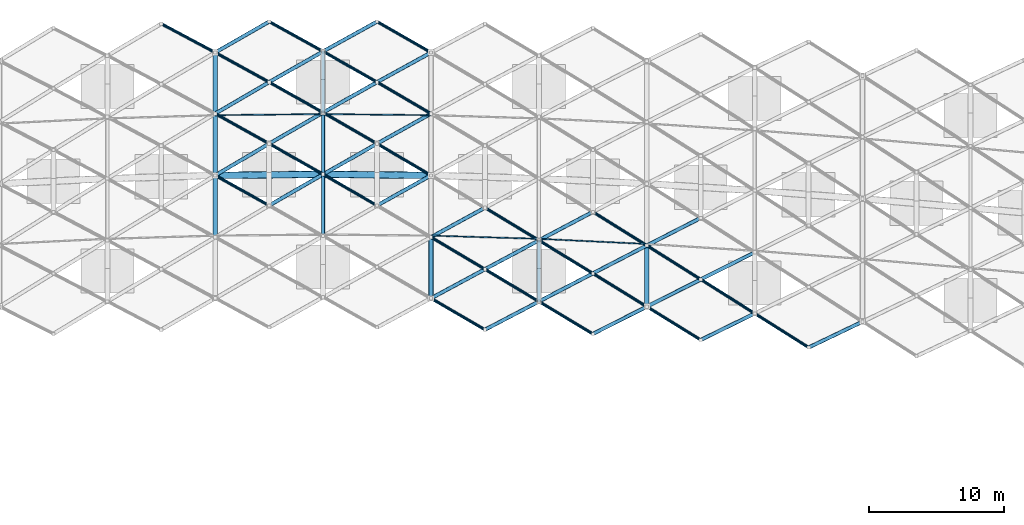
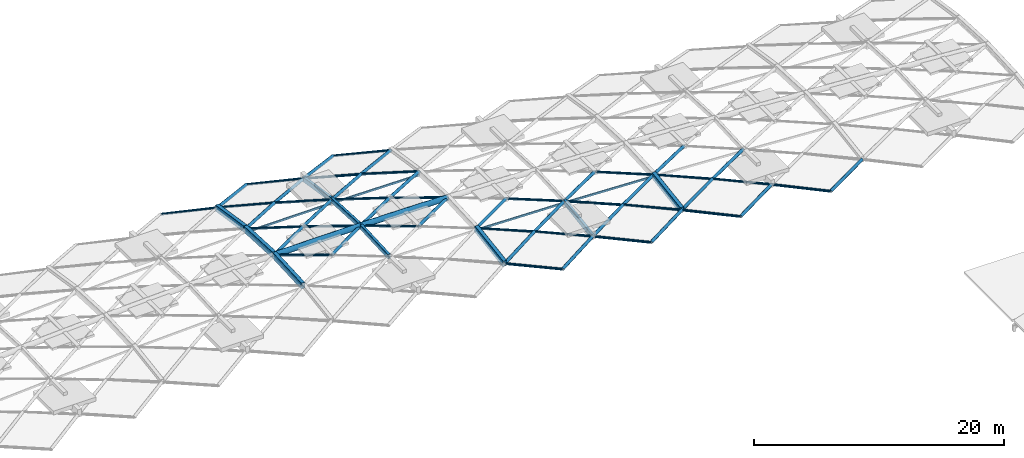
# One storey, part 5 of 27: 56 members, 9 beams.
"""IFC4 building model written with IfcOpenShell, lengths in metres."""

from ifc_helpers import new_model, si_unit, direction, frame, origin, origin_2d, place, context, subcontext, project, spatial, hollow_rectangle, hollow_circle, extrude, material, material_profile, profile_set, type_object, element, save


model = new_model("IFC4")

# Units and contexts
model_context = context("Model", 3, precision=1e-05, world=origin(), true_north=direction((0.0, 1.0)))
body_context = subcontext(model_context, "Body", "Model", "MODEL_VIEW")
ifc_project = project(units=[si_unit("LENGTHUNIT", "METRE"), si_unit("AREAUNIT", "SQUARE_METRE"), si_unit("VOLUMEUNIT", "CUBIC_METRE"), si_unit("PLANEANGLEUNIT", "RADIAN"), si_unit("MASSUNIT", "GRAM", prefix="KILO")], contexts=[model_context])

# Site, building, storey
site_placement = place(None, origin())
site = spatial("IfcSite", under=ifc_project, at=site_placement, CompositionType="ELEMENT")
building_placement = place(site_placement, origin())
building = spatial("IfcBuilding", under=site, at=building_placement, Name="Kenh Van Central Station", CompositionType="ELEMENT")
storey_placement = place(building_placement, frame((0.0, 0.0, 19.199951171875)))
storey = spatial("IfcBuildingStorey", under=building, at=storey_placement, Name="L04", CompositionType="ELEMENT", Elevation=19.199951171875)

# Beams
ifc_material = material(Name="White fluoropolymer structural steel S355", Category="steel")
ifc_material_profile_1 = material_profile(ifc_material, hollow_rectangle(XDim=0.35009765625, YDim=0.60009765625, WallThickness=0.01611328125, InnerFilletRadius=0.01611328125, OuterFilletRadius=0.031982421875, at=origin_2d()), Name="RHS 600x350x16")
ifc_profile_set_1 = profile_set([ifc_material_profile_1], Name="White fluoropolymer structural steel S355")
beam_type_1 = type_object("IfcBeamType", Name="BM-VAULT-ARCH600", PredefinedType="BEAM", material=ifc_profile_set_1)
beam_1_placement = place(storey_placement, frame((80.0, 86.53955078125, 1.7744140625), z_axis=(0.0, 0.998789366283, 0.049191480968), x_axis=(-1.0, 0.0, 0.0)))
element("IfcBeam", 1, at=beam_1_placement, inside=storey, type_object=beam_type_1, Name="Vault transverse arch 076", PredefinedType="BEAM", context=body_context, shape_type="SweptSolid", body=[
    extrude(hollow_rectangle(XDim=0.35009765625, YDim=0.60009765625, WallThickness=0.01611328125, InnerFilletRadius=0.01611328125, OuterFilletRadius=0.031982421875, at=origin_2d()), origin(), (0.0, 0.0, 1.0), 4.5859375),
])
beam_2_placement = place(storey_placement, frame((80.0, 91.119873046875, 2.0), z_axis=(0.0, 0.998789237449, -0.04919409677), x_axis=(-1.0, 0.0, 0.0)))
element("IfcBeam", 2, at=beam_2_placement, inside=storey, type_object=beam_type_1, Name="Vault transverse arch 077", PredefinedType="BEAM", context=body_context, shape_type="SweptSolid", body=[
    extrude(hollow_rectangle(XDim=0.35009765625, YDim=0.60009765625, WallThickness=0.01611328125, InnerFilletRadius=0.01611328125, OuterFilletRadius=0.031982421875, at=origin_2d()), origin(), (0.0, 0.0, 1.0), 4.585693359375),
])
for number, where, z_axis, x_axis, name in (
    (3, (80.0, 95.699951171875, 1.7744140625), (0.0, 0.988526901782, -0.151044908728), (-1.0, 0.0, 0.0), "Vault transverse arch 078"),
    (4, (96.0, 82.0068359375, 1.081787109375), (0.0, 0.988525687015, 0.15105285867), (-1.0, 0.0, 0.0), "Vault transverse arch 098"),
    (5, (112.0, 81.388916015625, 1.081787109375), (0.0, 0.988525687015, 0.15105285867), (-1.0, 0.0, 0.0), "Vault transverse arch 122"),
):
    element("IfcBeam", number, at=place(storey_placement, frame(where, z_axis=z_axis, x_axis=x_axis)), inside=storey, type_object=beam_type_1, Name=name, PredefinedType="BEAM", context=body_context, shape_type="SweptSolid", body=[
        extrude(hollow_rectangle(XDim=0.35009765625, YDim=0.60009765625, WallThickness=0.01611328125, InnerFilletRadius=0.01611328125, OuterFilletRadius=0.031982421875, at=origin_2d()), origin(), (0.0, 0.0, 1.0), 4.58544921875),
    ])
ifc_material_profile_2 = material_profile(ifc_material, hollow_rectangle(XDim=0.25, YDim=0.449951171875, WallThickness=0.012451171875, InnerFilletRadius=0.012451171875, OuterFilletRadius=0.02490234375, at=origin_2d()), Name="RHS 450x250x12.5")
ifc_profile_set_2 = profile_set([ifc_material_profile_2], Name="White fluoropolymer structural steel S355")
beam_type_2 = type_object("IfcBeamType", Name="BM-VAULT-SUB450", PredefinedType="BEAM", material=ifc_profile_set_2)
beam_3_placement = place(storey_placement, frame((88.0, 86.619873046875, 1.7744140625), z_axis=(0.0, 0.998789237449, 0.04919409677), x_axis=(-1.0, 0.0, 0.0)))
element("IfcBeam", 6, at=beam_3_placement, inside=storey, type_object=beam_type_2, Name="Vault transverse arch 087", PredefinedType="BEAM", context=body_context, shape_type="SweptSolid", body=[
    extrude(hollow_rectangle(XDim=0.25, YDim=0.449951171875, WallThickness=0.012451171875, InnerFilletRadius=0.012451171875, OuterFilletRadius=0.02490234375, at=origin_2d()), origin(), (0.0, 0.0, 1.0), 4.585693359375),
])
beam_4_placement = place(storey_placement, frame((88.0, 91.199951171875, 2.0), z_axis=(0.0, 0.998789366283, -0.049191480968), x_axis=(-1.0, 0.0, 0.0)))
element("IfcBeam", 7, at=beam_4_placement, inside=storey, type_object=beam_type_2, Name="Vault transverse arch 088", PredefinedType="BEAM", context=body_context, shape_type="SweptSolid", body=[
    extrude(hollow_rectangle(XDim=0.25, YDim=0.449951171875, WallThickness=0.012451171875, InnerFilletRadius=0.012451171875, OuterFilletRadius=0.02490234375, at=origin_2d()), origin(), (0.0, 0.0, 1.0), 4.5859375),
])
for number, where, z_axis, x_axis, name in (
    (8, (88.0, 95.7802734375, 1.7744140625), (0.0, 0.988525687015, -0.15105285867), (-1.0, 0.0, 0.0), "Vault transverse arch 089"),
    (9, (104.0, 81.77001953125, 1.081787109375), (0.0, 0.988526901782, 0.151044908728), (-1.0, 0.0, 0.0), "Vault transverse arch 110"),
):
    element("IfcBeam", number, at=place(storey_placement, frame(where, z_axis=z_axis, x_axis=x_axis)), inside=storey, type_object=beam_type_2, Name=name, PredefinedType="BEAM", context=body_context, shape_type="SweptSolid", body=[
        extrude(hollow_rectangle(XDim=0.25, YDim=0.449951171875, WallThickness=0.012451171875, InnerFilletRadius=0.012451171875, OuterFilletRadius=0.02490234375, at=origin_2d()), origin(), (0.0, 0.0, 1.0), 4.58544921875),
    ])

# Members
ifc_material_profile_3 = material_profile(ifc_material, hollow_rectangle(XDim=0.10009765625, YDim=0.199951171875, WallThickness=0.008056640625, InnerFilletRadius=0.008056640625, OuterFilletRadius=0.01611328125, at=origin_2d()), Name="RHS 200x100x8")
ifc_profile_set_3 = profile_set([ifc_material_profile_3], Name="White fluoropolymer structural steel S355")
member_type_1 = type_object("IfcMemberType", Name="MEM-PUR-RHS200", PredefinedType="PURLIN", material=ifc_profile_set_3)
member_1_placement = place(storey_placement, frame((96.0, 86.654541015625, 1.51904296875), z_axis=(0.999562147036, -0.029589089436, 0.0), x_axis=(0.029589089436, 0.999562147036, 0.0)))
element("IfcMember", 10, at=member_1_placement, inside=storey, type_object=member_type_1, Name="Vault longitudinal purlin 023", PredefinedType="PURLIN", context=body_context, shape_type="SweptSolid", body=[
    extrude(hollow_rectangle(XDim=0.10009765625, YDim=0.199951171875, WallThickness=0.008056640625, InnerFilletRadius=0.008056640625, OuterFilletRadius=0.01611328125, at=origin_2d()), origin(), (0.0, 0.0, 1.0), 8.00341796875),
])
member_2_placement = place(storey_placement, frame((104.0, 86.417724609375, 1.51904296875), z_axis=(0.998867240988, -0.047583977148, 0.0), x_axis=(0.047583977148, 0.998867240988, 0.0)))
element("IfcMember", 11, at=member_2_placement, inside=storey, type_object=member_type_1, Name="Vault longitudinal purlin 024", PredefinedType="PURLIN", context=body_context, shape_type="SweptSolid", body=[
    extrude(hollow_rectangle(XDim=0.10009765625, YDim=0.199951171875, WallThickness=0.008056640625, InnerFilletRadius=0.008056640625, OuterFilletRadius=0.01611328125, at=origin_2d()), origin(), (0.0, 0.0, 1.0), 8.009033203125),
])
for number, where, z_axis, x_axis, name in (
    (12, (80.0, 95.585205078125, 1.51904296875), (0.99994990606, 0.010009264196, 0.0), (-0.010009264196, 0.99994990606, 0.0), "Vault longitudinal purlin 035"),
    (13, (88.0, 95.665283203125, 1.51904296875), (0.99994990606, -0.010009264196, 0.0), (0.010009264196, 0.99994990606, 0.0), "Vault longitudinal purlin 036"),
):
    element("IfcMember", number, at=place(storey_placement, frame(where, z_axis=z_axis, x_axis=x_axis)), inside=storey, type_object=member_type_1, Name=name, PredefinedType="PURLIN", context=body_context, shape_type="SweptSolid", body=[
        extrude(hollow_rectangle(XDim=0.10009765625, YDim=0.199951171875, WallThickness=0.008056640625, InnerFilletRadius=0.008056640625, OuterFilletRadius=0.01611328125, at=origin_2d()), origin(), (0.0, 0.0, 1.0), 8.00048828125),
    ])
ifc_material_profile_4 = material_profile(ifc_material, hollow_circle(Radius=0.109619140625, WallThickness=0.008056640625, at=origin_2d()), Name="CHS 219.1x8")
ifc_profile_set_4 = profile_set([ifc_material_profile_4], Name="White fluoropolymer structural steel S355")
member_type_2 = type_object("IfcMemberType", Name="MEM-VAULT-BRC219", PredefinedType="BRACE", material=ifc_profile_set_4)
member_3_placement = place(storey_placement, frame((76.0, 102.36328125, 0.545654296875), z_axis=(0.876512067751, -0.466823993115, 0.117481720018), x_axis=(0.470079270803, 0.882624200417, 0.0)))
element("IfcMember", 14, at=member_3_placement, inside=storey, type_object=member_type_2, Name="Vault diamond grid member 0274", PredefinedType="BRACE", context=body_context, shape_type="SweptSolid", body=[
    extrude(hollow_circle(Radius=0.109619140625, WallThickness=0.008056640625, at=origin_2d()), origin(), (0.0, 0.0, 1.0), 4.5634765625),
])
for number, where, z_axis, x_axis, name in (
    (15, (80.0, 91.119873046875, 2.0), (0.873099410341, -0.487388135192, -0.012256644554), (0.48742474834, 0.873164998557, 0.0), "Vault diamond grid member 0291"),
    (16, (80.0, 95.699951171875, 1.7744140625), (0.873111430848, -0.486115873547, 0.036983601868), (0.486448666418, 0.87370915924, 0.0), "Vault diamond grid member 0293"),
):
    element("IfcMember", number, at=place(storey_placement, frame(where, z_axis=z_axis, x_axis=x_axis)), inside=storey, type_object=member_type_2, Name=name, PredefinedType="BRACE", context=body_context, shape_type="SweptSolid", body=[
        extrude(hollow_circle(Radius=0.109619140625, WallThickness=0.008056640625, at=origin_2d()), origin(), (0.0, 0.0, 1.0), 4.581298828125),
    ])
member_4_placement = place(storey_placement, frame((80.0, 100.23291015625, 1.081787109375), z_axis=(0.873022547119, -0.479512323091, 0.088879492712), x_axis=(0.481417587819, 0.876491361132, 0.0)))
element("IfcMember", 17, at=member_4_placement, inside=storey, type_object=member_type_2, Name="Vault diamond grid member 0295", PredefinedType="BRACE", context=body_context, shape_type="SweptSolid", body=[
    extrude(hollow_circle(Radius=0.109619140625, WallThickness=0.008056640625, at=origin_2d()), origin(), (0.0, 0.0, 1.0), 4.581787109375),
])
for number, where, z_axis, x_axis, name in (
    (18, (84.0, 93.472900390625, 1.94384765625), (0.869371084248, -0.494009081686, 0.012204305992), (0.494045875909, 0.869435835756, 0.0), "Vault diamond grid member 0314"),
    (19, (84.0, 98.035888671875, 1.489013671875), (0.869375145175, -0.490243955461, 0.062030001508), (0.491189846985, 0.871052543891, 0.0), "Vault diamond grid member 0316"),
):
    element("IfcMember", number, at=place(storey_placement, frame(where, z_axis=z_axis, x_axis=x_axis)), inside=storey, type_object=member_type_2, Name=name, PredefinedType="BRACE", context=body_context, shape_type="SweptSolid", body=[
        extrude(hollow_circle(Radius=0.109619140625, WallThickness=0.008056640625, at=origin_2d()), origin(), (0.0, 0.0, 1.0), 4.60107421875),
    ])
member_5_placement = place(storey_placement, frame((84.0, 102.52294921875, 0.545654296875), z_axis=(0.869331775268, -0.480297316267, 0.116519322417), x_axis=(0.483591334927, 0.875293905373, 0.0)))
element("IfcMember", 20, at=member_5_placement, inside=storey, type_object=member_type_2, Name="Vault diamond grid member 0318", PredefinedType="BRACE", context=body_context, shape_type="SweptSolid", body=[
    extrude(hollow_circle(Radius=0.109619140625, WallThickness=0.008056640625, at=origin_2d()), origin(), (0.0, 0.0, 1.0), 4.601318359375),
])
for number, where, z_axis, x_axis, name in (
    (21, (88.0, 91.199951171875, 2.0), (0.865625120203, -0.500545189746, -0.012151719827), (0.500582150166, 0.865689038244, 0.0), "Vault diamond grid member 0335"),
    (22, (88.0, 95.7802734375, 1.7744140625), (0.865633020383, -0.499334574929, 0.036666828378), (0.499670580534, 0.866215510684, 0.0), "Vault diamond grid member 0337"),
):
    element("IfcMember", number, at=place(storey_placement, frame(where, z_axis=z_axis, x_axis=x_axis)), inside=storey, type_object=member_type_2, Name=name, PredefinedType="BRACE", context=body_context, shape_type="SweptSolid", body=[
        extrude(hollow_circle(Radius=0.109619140625, WallThickness=0.008056640625, at=origin_2d()), origin(), (0.0, 0.0, 1.0), 4.620849609375),
    ])
member_6_placement = place(storey_placement, frame((88.0, 100.31298828125, 1.081787109375), z_axis=(0.865666711235, -0.492802332501, 0.088130619772), x_axis=(0.494727352892, 0.869048241641, 0.0)))
element("IfcMember", 23, at=member_6_placement, inside=storey, type_object=member_type_2, Name="Vault diamond grid member 0339", PredefinedType="BRACE", context=body_context, shape_type="SweptSolid", body=[
    extrude(hollow_circle(Radius=0.109619140625, WallThickness=0.008056640625, at=origin_2d()), origin(), (0.0, 0.0, 1.0), 4.62060546875),
])
member_7_placement = place(storey_placement, frame((92.0, 93.472900390625, 1.94384765625), z_axis=(0.861863012524, -0.506996808759, 0.012098907036), x_axis=(0.50703392083, 0.861926100735, 0.0)))
element("IfcMember", 24, at=member_7_placement, inside=storey, type_object=member_type_2, Name="Vault diamond grid member 0358", PredefinedType="BRACE", context=body_context, shape_type="SweptSolid", body=[
    extrude(hollow_circle(Radius=0.109619140625, WallThickness=0.008056640625, at=origin_2d()), origin(), (0.0, 0.0, 1.0), 4.64111328125),
])
member_8_placement = place(storey_placement, frame((92.0, 98.035888671875, 1.489013671875), z_axis=(0.86189969383, -0.503335954014, 0.061496627325), x_axis=(0.504290428926, 0.863534112409, 0.0)))
element("IfcMember", 25, at=member_8_placement, inside=storey, type_object=member_type_2, Name="Vault diamond grid member 0360", PredefinedType="BRACE", context=body_context, shape_type="SweptSolid", body=[
    extrude(hollow_circle(Radius=0.109619140625, WallThickness=0.008056640625, at=origin_2d()), origin(), (0.0, 0.0, 1.0), 4.640869140625),
])
member_9_placement = place(storey_placement, frame((92.0, 102.52294921875, 0.545654296875), z_axis=(0.86202657912, -0.493518634774, 0.115540183578), x_axis=(0.496846109163, 0.867838662316, 0.0)))
element("IfcMember", 26, at=member_9_placement, inside=storey, type_object=member_type_2, Name="Vault diamond grid member 0362", PredefinedType="BRACE", context=body_context, shape_type="SweptSolid", body=[
    extrude(hollow_circle(Radius=0.109619140625, WallThickness=0.008056640625, at=origin_2d()), origin(), (0.0, 0.0, 1.0), 4.64013671875),
])
member_10_placement = place(storey_placement, frame((96.0, 82.0068359375, 1.081787109375), z_axis=(0.858414760929, -0.499886183717, -0.115056080017), x_axis=(0.503228122803, 0.864153606959, 0.0)))
element("IfcMember", 27, at=member_10_placement, inside=storey, type_object=member_type_2, Name="Vault diamond grid member 0377", PredefinedType="BRACE", context=body_context, shape_type="SweptSolid", body=[
    extrude(hollow_circle(Radius=0.109619140625, WallThickness=0.008056640625, at=origin_2d()), origin(), (0.0, 0.0, 1.0), 4.65966796875),
])
member_11_placement = place(storey_placement, frame((96.0, 86.53955078125, 1.7744140625), z_axis=(0.858241089359, -0.509580646807, -0.061235585538), x_axis=(0.510538754155, 0.859854743841, 0.0)))
element("IfcMember", 28, at=member_11_placement, inside=storey, type_object=member_type_2, Name="Vault diamond grid member 0379", PredefinedType="BRACE", context=body_context, shape_type="SweptSolid", body=[
    extrude(hollow_circle(Radius=0.109619140625, WallThickness=0.008056640625, at=origin_2d()), origin(), (0.0, 0.0, 1.0), 4.66064453125),
])
member_12_placement = place(storey_placement, frame((100.0, 84.16455078125, 1.489013671875), z_axis=(0.85475523124, -0.511684528076, -0.087019758649), x_axis=(0.513632950601, 0.858010018623, 0.0)))
element("IfcMember", 29, at=member_12_placement, inside=storey, type_object=member_type_2, Name="Vault diamond grid member 0402", PredefinedType="BRACE", context=body_context, shape_type="SweptSolid", body=[
    extrude(hollow_circle(Radius=0.109619140625, WallThickness=0.008056640625, at=origin_2d()), origin(), (0.0, 0.0, 1.0), 4.6796875),
])
member_13_placement = place(storey_placement, frame((100.0, 88.7275390625, 1.94384765625), z_axis=(0.854607183531, -0.518011715066, -0.036199791588), x_axis=(0.518351456735, 0.855167683733, 0.0)))
element("IfcMember", 30, at=member_13_placement, inside=storey, type_object=member_type_2, Name="Vault diamond grid member 0404", PredefinedType="BRACE", context=body_context, shape_type="SweptSolid", body=[
    extrude(hollow_circle(Radius=0.109619140625, WallThickness=0.008056640625, at=origin_2d()), origin(), (0.0, 0.0, 1.0), 4.680419921875),
])
member_14_placement = place(storey_placement, frame((104.0, 81.77001953125, 1.081787109375), z_axis=(0.851554309177, -0.511691416861, -0.114136551694), x_axis=(0.515057279544, 0.857155761101, 0.0)))
element("IfcMember", 31, at=member_14_placement, inside=storey, type_object=member_type_2, Name="Vault diamond grid member 0425", PredefinedType="BRACE", context=body_context, shape_type="SweptSolid", body=[
    extrude(hollow_circle(Radius=0.109619140625, WallThickness=0.008056640625, at=origin_2d()), origin(), (0.0, 0.0, 1.0), 4.697265625),
])
member_15_placement = place(storey_placement, frame((104.0, 86.302978515625, 1.7744140625), z_axis=(0.851231051352, -0.521264717909, -0.060735418642), x_axis=(0.522228804285, 0.852805415071, 0.0)))
element("IfcMember", 32, at=member_15_placement, inside=storey, type_object=member_type_2, Name="Vault diamond grid member 0427", PredefinedType="BRACE", context=body_context, shape_type="SweptSolid", body=[
    extrude(hollow_circle(Radius=0.109619140625, WallThickness=0.008056640625, at=origin_2d()), origin(), (0.0, 0.0, 1.0), 4.698974609375),
])
member_16_placement = place(storey_placement, frame((108.0, 83.853515625, 1.489013671875), z_axis=(0.848187314393, -0.522610530933, -0.086351101099), x_axis=(0.524569921452, 0.851367369299, 0.0)))
element("IfcMember", 33, at=member_16_placement, inside=storey, type_object=member_type_2, Name="Vault diamond grid member 0450", PredefinedType="BRACE", context=body_context, shape_type="SweptSolid", body=[
    extrude(hollow_circle(Radius=0.109619140625, WallThickness=0.008056640625, at=origin_2d()), origin(), (0.0, 0.0, 1.0), 4.7158203125),
])
member_17_placement = place(storey_placement, frame((108.0, 88.41650390625, 1.94384765625), z_axis=(0.847939250185, -0.528875195168, -0.03591734861), x_axis=(0.529216664881, 0.848486724476, 0.0)))
element("IfcMember", 34, at=member_17_placement, inside=storey, type_object=member_type_2, Name="Vault diamond grid member 0452", PredefinedType="BRACE", context=body_context, shape_type="SweptSolid", body=[
    extrude(hollow_circle(Radius=0.109619140625, WallThickness=0.008056640625, at=origin_2d()), origin(), (0.0, 0.0, 1.0), 4.71728515625),
])
member_18_placement = place(storey_placement, frame((112.0, 81.388916015625, 1.081787109375), z_axis=(0.845445378066, -0.521901523056, -0.113317752089), x_axis=(0.525284989257, 0.850926365828, 0.0)))
element("IfcMember", 35, at=member_18_placement, inside=storey, type_object=member_type_2, Name="Vault diamond grid member 0473", PredefinedType="BRACE", context=body_context, shape_type="SweptSolid", body=[
    extrude(hollow_circle(Radius=0.109619140625, WallThickness=0.008056640625, at=origin_2d()), origin(), (0.0, 0.0, 1.0), 4.731201171875),
])
member_19_placement = place(storey_placement, frame((112.0, 85.921630859375, 1.7744140625), z_axis=(0.845038483663, -0.531295252699, -0.060293578333), x_axis=(0.532263606661, 0.846578675035, 0.0)))
element("IfcMember", 36, at=member_19_placement, inside=storey, type_object=member_type_2, Name="Vault diamond grid member 0475", PredefinedType="BRACE", context=body_context, shape_type="SweptSolid", body=[
    extrude(hollow_circle(Radius=0.109619140625, WallThickness=0.008056640625, at=origin_2d()), origin(), (0.0, 0.0, 1.0), 4.7333984375),
])
member_20_placement = place(storey_placement, frame((116.0, 83.40673828125, 1.489013671875), z_axis=(0.842530462949, -0.531775361167, -0.085775196057), x_axis=(0.53374246021, 0.845647081334, 0.0)))
element("IfcMember", 37, at=member_20_placement, inside=storey, type_object=member_type_2, Name="Vault diamond grid member 0498", PredefinedType="BRACE", context=body_context, shape_type="SweptSolid", body=[
    extrude(hollow_circle(Radius=0.109619140625, WallThickness=0.008056640625, at=origin_2d()), origin(), (0.0, 0.0, 1.0), 4.74755859375),
])
member_21_placement = place(storey_placement, frame((120.0, 80.882080078125, 1.081787109375), z_axis=(0.840472512832, -0.530014770665, -0.112651223033), x_axis=(0.533410143989, 0.845856736268, 0.0)))
element("IfcMember", 38, at=member_21_placement, inside=storey, type_object=member_type_2, Name="Vault diamond grid member 0521", PredefinedType="BRACE", context=body_context, shape_type="SweptSolid", body=[
    extrude(hollow_circle(Radius=0.109619140625, WallThickness=0.008056640625, at=origin_2d()), origin(), (0.0, 0.0, 1.0), 4.75927734375),
])
ifc_material_profile_5 = material_profile(ifc_material, hollow_circle(Radius=0.136474609375, WallThickness=0.010009765625, at=origin_2d()), Name="CHS 273x10")
ifc_profile_set_5 = profile_set([ifc_material_profile_5], Name="White fluoropolymer structural steel S355")
member_type_3 = type_object("IfcMemberType", Name="MEM-VAULT-CHD273", PredefinedType="CHORD", material=ifc_profile_set_5)
member_22_placement = place(storey_placement, frame((80.0, 91.119873046875, 2.0), z_axis=(0.861863012524, 0.506996808759, -0.012098907036), x_axis=(-0.50703392083, 0.861926100735, 0.0)))
element("IfcMember", 39, at=member_22_placement, inside=storey, type_object=member_type_3, Name="Vault diamond grid member 0290", PredefinedType="CHORD", context=body_context, shape_type="SweptSolid", body=[
    extrude(hollow_circle(Radius=0.136474609375, WallThickness=0.010009765625, at=origin_2d()), origin(), (0.0, 0.0, 1.0), 4.64111328125),
])
member_23_placement = place(storey_placement, frame((80.0, 95.699951171875, 1.7744140625), z_axis=(0.86189969383, 0.503335954014, -0.061496627325), x_axis=(-0.504290428926, 0.863534112409, 0.0)))
element("IfcMember", 40, at=member_23_placement, inside=storey, type_object=member_type_3, Name="Vault diamond grid member 0292", PredefinedType="CHORD", context=body_context, shape_type="SweptSolid", body=[
    extrude(hollow_circle(Radius=0.136474609375, WallThickness=0.010009765625, at=origin_2d()), origin(), (0.0, 0.0, 1.0), 4.640869140625),
])
member_24_placement = place(storey_placement, frame((80.0, 100.23291015625, 1.081787109375), z_axis=(0.86202657912, 0.493518634774, -0.115540183578), x_axis=(-0.496846109163, 0.867838662316, 0.0)))
element("IfcMember", 41, at=member_24_placement, inside=storey, type_object=member_type_3, Name="Vault diamond grid member 0294", PredefinedType="CHORD", context=body_context, shape_type="SweptSolid", body=[
    extrude(hollow_circle(Radius=0.136474609375, WallThickness=0.010009765625, at=origin_2d()), origin(), (0.0, 0.0, 1.0), 4.64013671875),
])
for number, where, z_axis, x_axis, name in (
    (42, (84.0, 88.886962890625, 1.94384765625), (0.865625120203, 0.500545189746, 0.012151719827), (-0.500582150166, 0.865689038244, 0.0), "Vault diamond grid member 0311"),
    (43, (84.0, 93.472900390625, 1.94384765625), (0.865633020383, 0.499334574929, -0.036666828378), (-0.499670580534, 0.866215510684, 0.0), "Vault diamond grid member 0313"),
):
    element("IfcMember", number, at=place(storey_placement, frame(where, z_axis=z_axis, x_axis=x_axis)), inside=storey, type_object=member_type_3, Name=name, PredefinedType="CHORD", context=body_context, shape_type="SweptSolid", body=[
        extrude(hollow_circle(Radius=0.136474609375, WallThickness=0.010009765625, at=origin_2d()), origin(), (0.0, 0.0, 1.0), 4.620849609375),
    ])
member_25_placement = place(storey_placement, frame((84.0, 98.035888671875, 1.489013671875), z_axis=(0.865666711235, 0.492802332501, -0.088130619772), x_axis=(-0.494727352892, 0.869048241641, 0.0)))
element("IfcMember", 44, at=member_25_placement, inside=storey, type_object=member_type_3, Name="Vault diamond grid member 0315", PredefinedType="CHORD", context=body_context, shape_type="SweptSolid", body=[
    extrude(hollow_circle(Radius=0.136474609375, WallThickness=0.010009765625, at=origin_2d()), origin(), (0.0, 0.0, 1.0), 4.62060546875),
])
for number, where, z_axis, x_axis, name in (
    (45, (88.0, 91.199951171875, 2.0), (0.869371084248, 0.494009081686, -0.012204305992), (-0.494045875909, 0.869435835756, 0.0), "Vault diamond grid member 0334"),
    (46, (88.0, 95.7802734375, 1.7744140625), (0.869375145175, 0.490243955461, -0.062030001508), (-0.491189846985, 0.871052543891, 0.0), "Vault diamond grid member 0336"),
):
    element("IfcMember", number, at=place(storey_placement, frame(where, z_axis=z_axis, x_axis=x_axis)), inside=storey, type_object=member_type_3, Name=name, PredefinedType="CHORD", context=body_context, shape_type="SweptSolid", body=[
        extrude(hollow_circle(Radius=0.136474609375, WallThickness=0.010009765625, at=origin_2d()), origin(), (0.0, 0.0, 1.0), 4.60107421875),
    ])
member_26_placement = place(storey_placement, frame((88.0, 100.31298828125, 1.081787109375), z_axis=(0.869331775268, 0.480297316267, -0.116519322417), x_axis=(-0.483591334927, 0.875293905373, 0.0)))
element("IfcMember", 47, at=member_26_placement, inside=storey, type_object=member_type_3, Name="Vault diamond grid member 0338", PredefinedType="CHORD", context=body_context, shape_type="SweptSolid", body=[
    extrude(hollow_circle(Radius=0.136474609375, WallThickness=0.010009765625, at=origin_2d()), origin(), (0.0, 0.0, 1.0), 4.601318359375),
])
for number, where, z_axis, x_axis, name in (
    (48, (92.0, 88.886962890625, 1.94384765625), (0.873099410341, 0.487388135192, 0.012256644554), (-0.48742474834, 0.873164998557, 0.0), "Vault diamond grid member 0355"),
    (49, (92.0, 93.472900390625, 1.94384765625), (0.873111430848, 0.486115873547, -0.036983601868), (-0.486448666418, 0.87370915924, 0.0), "Vault diamond grid member 0357"),
):
    element("IfcMember", number, at=place(storey_placement, frame(where, z_axis=z_axis, x_axis=x_axis)), inside=storey, type_object=member_type_3, Name=name, PredefinedType="CHORD", context=body_context, shape_type="SweptSolid", body=[
        extrude(hollow_circle(Radius=0.136474609375, WallThickness=0.010009765625, at=origin_2d()), origin(), (0.0, 0.0, 1.0), 4.581298828125),
    ])
member_27_placement = place(storey_placement, frame((92.0, 98.035888671875, 1.489013671875), z_axis=(0.873022547119, 0.479512323091, -0.088879492712), x_axis=(-0.481417587819, 0.876491361132, 0.0)))
element("IfcMember", 50, at=member_27_placement, inside=storey, type_object=member_type_3, Name="Vault diamond grid member 0359", PredefinedType="CHORD", context=body_context, shape_type="SweptSolid", body=[
    extrude(hollow_circle(Radius=0.136474609375, WallThickness=0.010009765625, at=origin_2d()), origin(), (0.0, 0.0, 1.0), 4.581787109375),
])
member_28_placement = place(storey_placement, frame((96.0, 82.0068359375, 1.081787109375), z_axis=(0.876603676621, 0.472865191283, 0.089244075476), x_axis=(-0.474759583336, 0.880115525389, 0.0)))
element("IfcMember", 51, at=member_28_placement, inside=storey, type_object=member_type_3, Name="Vault diamond grid member 0376", PredefinedType="CHORD", context=body_context, shape_type="SweptSolid", body=[
    extrude(hollow_circle(Radius=0.136474609375, WallThickness=0.010009765625, at=origin_2d()), origin(), (0.0, 0.0, 1.0), 4.56298828125),
])
member_29_placement = place(storey_placement, frame((96.0, 86.53955078125, 1.7744140625), z_axis=(0.876720874068, 0.479563749597, 0.037136492102), x_axis=(-0.479894779784, 0.877326051326, 0.0)))
element("IfcMember", 52, at=member_29_placement, inside=storey, type_object=member_type_3, Name="Vault diamond grid member 0378", PredefinedType="CHORD", context=body_context, shape_type="SweptSolid", body=[
    extrude(hollow_circle(Radius=0.136474609375, WallThickness=0.010009765625, at=origin_2d()), origin(), (0.0, 0.0, 1.0), 4.5625),
])
member_30_placement = place(storey_placement, frame((100.0, 79.677490234375, 0.545654296875), z_axis=(0.87989438604, 0.460301195236, 0.117935062973), x_axis=(-0.463536070051, 0.886078050603, 0.0)))
element("IfcMember", 53, at=member_30_placement, inside=storey, type_object=member_type_3, Name="Vault diamond grid member 0399", PredefinedType="CHORD", context=body_context, shape_type="SweptSolid", body=[
    extrude(hollow_circle(Radius=0.136474609375, WallThickness=0.010009765625, at=origin_2d()), origin(), (0.0, 0.0, 1.0), 4.5458984375),
])
member_31_placement = place(storey_placement, frame((100.0, 84.16455078125, 1.489013671875), z_axis=(0.880145497695, 0.470531885639, 0.062798467212), x_axis=(-0.471462444837, 0.881886139537, 0.0)))
element("IfcMember", 54, at=member_31_placement, inside=storey, type_object=member_type_3, Name="Vault diamond grid member 0401", PredefinedType="CHORD", context=body_context, shape_type="SweptSolid", body=[
    extrude(hollow_circle(Radius=0.136474609375, WallThickness=0.010009765625, at=origin_2d()), origin(), (0.0, 0.0, 1.0), 4.544677734375),
])
member_32_placement = place(storey_placement, frame((104.0, 81.77001953125, 1.081787109375), z_axis=(0.883305948563, 0.460091123354, 0.089926411267), x_axis=(-0.461962806039, 0.886899298588, 0.0)))
element("IfcMember", 55, at=member_32_placement, inside=storey, type_object=member_type_3, Name="Vault diamond grid member 0424", PredefinedType="CHORD", context=body_context, shape_type="SweptSolid", body=[
    extrude(hollow_circle(Radius=0.136474609375, WallThickness=0.010009765625, at=origin_2d()), origin(), (0.0, 0.0, 1.0), 4.5283203125),
])
member_33_placement = place(storey_placement, frame((104.0, 86.302978515625, 1.7744140625), z_axis=(0.883544935698, 0.466848663839, 0.037425548424), x_axis=(-0.467175958553, 0.884164364669, 0.0)))
element("IfcMember", 56, at=member_33_placement, inside=storey, type_object=member_type_3, Name="Vault diamond grid member 0426", PredefinedType="CHORD", context=body_context, shape_type="SweptSolid", body=[
    extrude(hollow_circle(Radius=0.136474609375, WallThickness=0.010009765625, at=origin_2d()), origin(), (0.0, 0.0, 1.0), 4.527099609375),
])
member_34_placement = place(storey_placement, frame((108.0, 79.366455078125, 0.545654296875), z_axis=(0.886097448432, 0.448024369068, 0.118766479294), x_axis=(-0.451217993387, 0.892413761909, 0.0)))
element("IfcMember", 57, at=member_34_placement, inside=storey, type_object=member_type_3, Name="Vault diamond grid member 0447", PredefinedType="CHORD", context=body_context, shape_type="SweptSolid", body=[
    extrude(hollow_circle(Radius=0.136474609375, WallThickness=0.010009765625, at=origin_2d()), origin(), (0.0, 0.0, 1.0), 4.51416015625),
])
member_35_placement = place(storey_placement, frame((108.0, 83.853515625, 1.489013671875), z_axis=(0.886515895686, 0.458354257346, 0.063252995731), x_axis=(-0.45927394225, 0.888294684196, 0.0)))
element("IfcMember", 58, at=member_35_placement, inside=storey, type_object=member_type_3, Name="Vault diamond grid member 0449", PredefinedType="CHORD", context=body_context, shape_type="SweptSolid", body=[
    extrude(hollow_circle(Radius=0.136474609375, WallThickness=0.010009765625, at=origin_2d()), origin(), (0.0, 0.0, 1.0), 4.511962890625),
])
member_36_placement = place(storey_placement, frame((112.0, 81.388916015625, 1.081787109375), z_axis=(0.889164678776, 0.44854407166, 0.090522868909), x_axis=(-0.450393216394, 0.892830303376, 0.0)))
element("IfcMember", 59, at=member_36_placement, inside=storey, type_object=member_type_3, Name="Vault diamond grid member 0472", PredefinedType="CHORD", context=body_context, shape_type="SweptSolid", body=[
    extrude(hollow_circle(Radius=0.136474609375, WallThickness=0.010009765625, at=origin_2d()), origin(), (0.0, 0.0, 1.0), 4.49853515625),
])
member_37_placement = place(storey_placement, frame((112.0, 85.921630859375, 1.7744140625), z_axis=(0.889473195619, 0.455431557498, 0.03767666002), x_axis=(-0.455755151594, 0.890105185804, 0.0)))
element("IfcMember", 60, at=member_37_placement, inside=storey, type_object=member_type_3, Name="Vault diamond grid member 0474", PredefinedType="CHORD", context=body_context, shape_type="SweptSolid", body=[
    extrude(hollow_circle(Radius=0.136474609375, WallThickness=0.010009765625, at=origin_2d()), origin(), (0.0, 0.0, 1.0), 4.4970703125),
])
member_38_placement = place(storey_placement, frame((116.0, 78.919677734375, 0.545654296875), z_axis=(0.891347084703, 0.437295402029, 0.119470104859), x_axis=(-0.440449993653, 0.897777145561, 0.0)))
element("IfcMember", 61, at=member_38_placement, inside=storey, type_object=member_type_3, Name="Vault diamond grid member 0495", PredefinedType="CHORD", context=body_context, shape_type="SweptSolid", body=[
    extrude(hollow_circle(Radius=0.136474609375, WallThickness=0.010009765625, at=origin_2d()), origin(), (0.0, 0.0, 1.0), 4.487548828125),
])
member_39_placement = place(storey_placement, frame((116.0, 83.40673828125, 1.489013671875), z_axis=(0.891872836935, 0.447787228798, 0.063635214012), x_axis=(-0.448696635535, 0.893684132823, 0.0)))
element("IfcMember", 62, at=member_39_placement, inside=storey, type_object=member_type_3, Name="Vault diamond grid member 0497", PredefinedType="CHORD", context=body_context, shape_type="SweptSolid", body=[
    extrude(hollow_circle(Radius=0.136474609375, WallThickness=0.010009765625, at=origin_2d()), origin(), (0.0, 0.0, 1.0), 4.48486328125),
])
member_40_placement = place(storey_placement, frame((124.0, 78.359619140625, 0.545654296875), z_axis=(0.895376372843, 0.428834130719, 0.120010163255), x_axis=(-0.431956022393, 0.901894669414, 0.0)))
element("IfcMember", 63, at=member_40_placement, inside=storey, type_object=member_type_3, Name="Vault diamond grid member 0543", PredefinedType="CHORD", context=body_context, shape_type="SweptSolid", body=[
    extrude(hollow_circle(Radius=0.136474609375, WallThickness=0.010009765625, at=origin_2d()), origin(), (0.0, 0.0, 1.0), 4.46728515625),
])
ifc_material_profile_6 = material_profile(ifc_material, hollow_circle(Radius=0.25390625, WallThickness=0.01611328125, at=origin_2d()), Name="CHS 508x16")
ifc_profile_set_6 = profile_set([ifc_material_profile_6], Name="White fluoropolymer structural steel S355")
member_type_4 = type_object("IfcMemberType", Name="MEM-VAULT-CHD508", PredefinedType="CHORD", material=ifc_profile_set_6)
for number, where, z_axis, x_axis, name in (
    (64, (80.0, 91.119873046875, 2.0), (0.99994990606, 0.010009264196, 0.0), (-0.010009264196, 0.99994990606, 0.0), "Vault longitudinal spine chord 07"),
    (65, (88.0, 91.199951171875, 2.0), (0.99994990606, -0.010009264196, 0.0), (0.010009264196, 0.99994990606, 0.0), "Vault longitudinal spine chord 08"),
):
    element("IfcMember", number, at=place(storey_placement, frame(where, z_axis=z_axis, x_axis=x_axis)), inside=storey, type_object=member_type_4, Name=name, PredefinedType="CHORD", context=body_context, shape_type="SweptSolid", body=[
        extrude(hollow_circle(Radius=0.25390625, WallThickness=0.01611328125, at=origin_2d()), origin(), (0.0, 0.0, 1.0), 8.00048828125),
    ])

save(model, "model.ifc")
